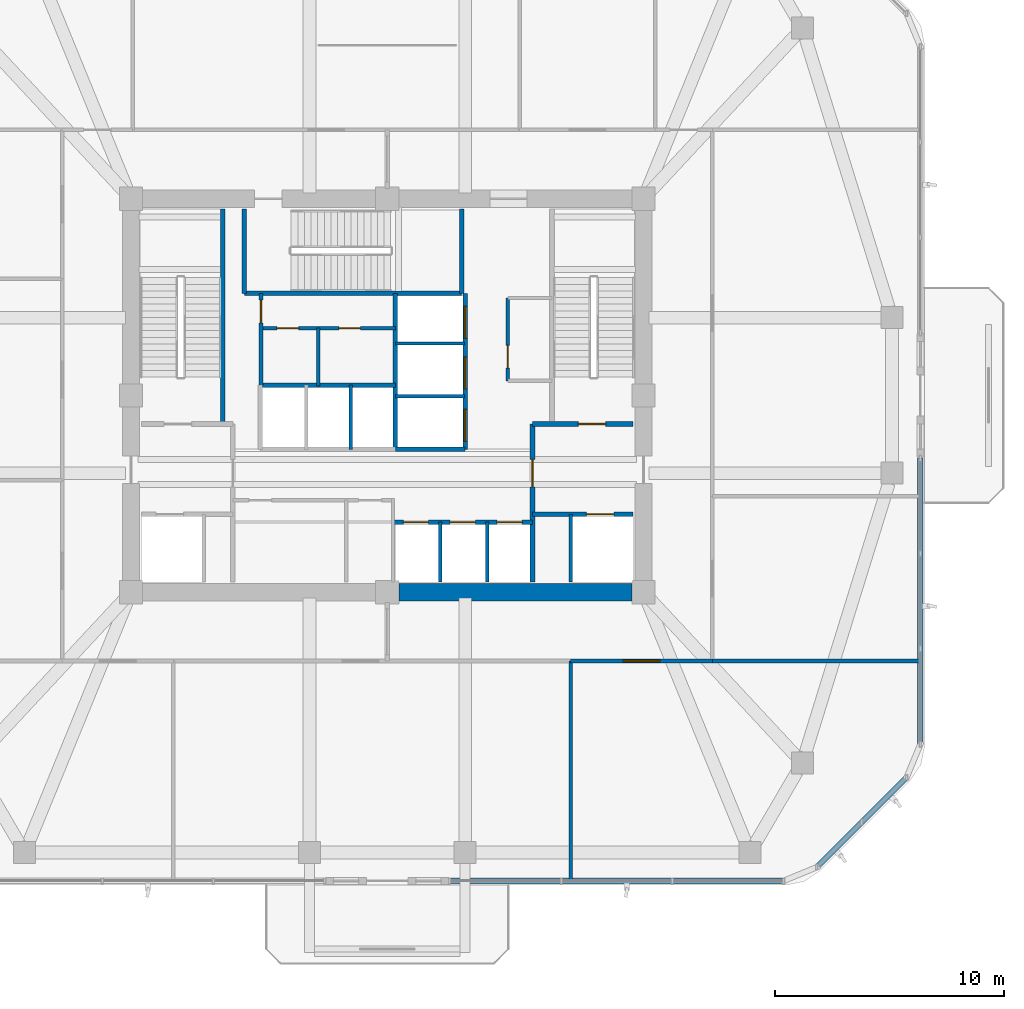
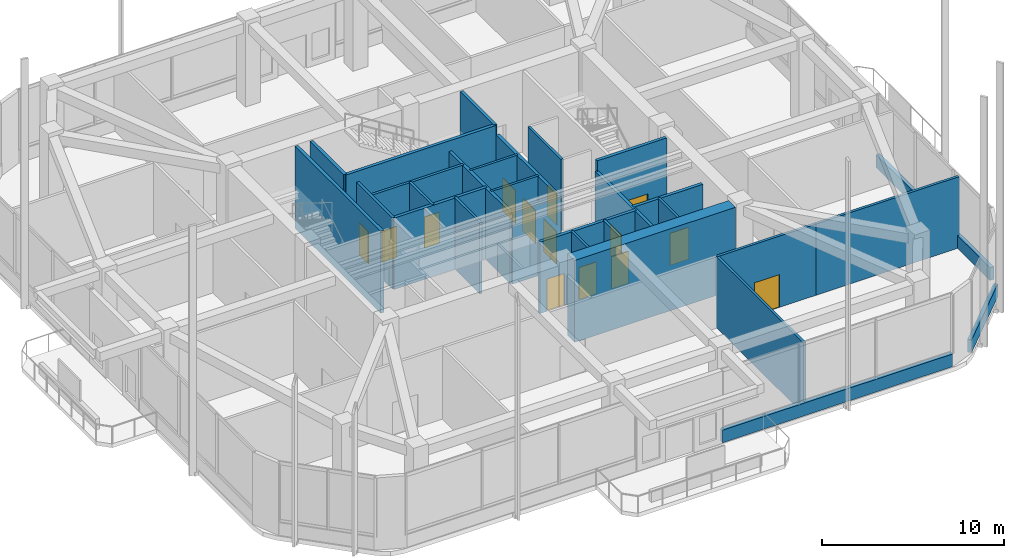
# One storey, part 7 of 12: 29 walls, 14 doors, 14 openings.
"""IFC4 building model written with IfcOpenShell, lengths in metres."""

from ifc_helpers import new_model, si_unit, derived_unit, direction, frame, frame_2d, origin, place, context, subcontext, project, spatial, rectangle, extrude, material, layer, layer_set, type_object, element, fill, save


model = new_model("IFC4")

# Units and contexts
model_context = context("Model", 3, precision=1e-05, world=origin(), true_north=direction((0.0, 1.0)))
body_context = subcontext(model_context, "Body", "Model", "MODEL_VIEW")
ifc_project = project(units=[si_unit("LENGTHUNIT", "METRE"), si_unit("AREAUNIT", "SQUARE_METRE"), si_unit("VOLUMEUNIT", "CUBIC_METRE"), si_unit("PLANEANGLEUNIT", "RADIAN"), si_unit("MASSUNIT", "GRAM", prefix="KILO"), derived_unit("THERMALTRANSMITTANCEUNIT", [(si_unit("POWERUNIT", "WATT"), 1), (si_unit("LENGTHUNIT", "METRE"), -2), (si_unit("THERMODYNAMICTEMPERATUREUNIT", "KELVIN"), -1)])], contexts=[model_context])

# Site, building, storey
site_placement = place(None, origin())
site = spatial("IfcSite", under=ifc_project, at=site_placement, CompositionType="ELEMENT")
building_placement = place(site_placement, origin())
building = spatial("IfcBuilding", under=site, at=building_placement, Name="Koralith Skygarden Medical Center", CompositionType="ELEMENT")
storey_placement = place(building_placement, frame((0.0, 0.0, 129.06005859375)))
storey = spatial("IfcBuildingStorey", under=building, at=storey_placement, Name="L33", CompositionType="ELEMENT", Elevation=129.06005859375)

# Wall, opening, door
ifc_material_1 = material(Name="Gypsum Board Partition")
ifc_layer_1 = layer(ifc_material_1, 0.14990234375)
ifc_layer_set_1 = layer_set([ifc_layer_1], Name="Gypsum Board Partition")
wall_type_1 = type_object("IfcWallType", Name="Clinical Acoustic Partition 150", PredefinedType="PARTITIONING", material=ifc_layer_set_1)
wall_1_placement = place(storey_placement, frame((42.27001953125, 26.5400390625, 0.0), z_axis=(0.0, 0.0, 1.0), x_axis=(0.0, 1.0, 0.0)))
wall_1 = element("IfcWall", 1, at=wall_1_placement, inside=storey, type_object=wall_type_1, Name="L33 Clinical Acoustic Partition 150 W-CORE-L33-ESUB-W", PredefinedType="PARTITIONING", context=body_context, shape_type="SweptSolid", body=[
    extrude(rectangle(XDim=3.619873046875, YDim=0.14990234375, at=frame_2d((1.81005859375, 0.0))), origin(), (0.0, 0.0, 1.0), 4.77001953125),
])
opening_1_placement = place(wall_1_placement, frame((0.550048828125, 0.0, 0.0)))
opening_1 = element("IfcOpeningElement", 2, at=opening_1_placement, cuts=wall_1, Name="Opening D-SUP", PredefinedType="OPENING", context=body_context, shape_type="SweptSolid", body=[
    extrude(rectangle(XDim=1.0, YDim=2.14990234375, at=frame_2d((0.5, 1.074951171875))), frame((0.0, 0.0849609375, 0.0), z_axis=(0.0, -1.0, 0.0), x_axis=(1.0, 0.0, 0.0)), (0.0, 0.0, 1.0), 0.169921875),
])
ifc_material_2 = material(Name="Aluminium 6063-T6", Category="aluminium")
door_type_1 = type_object("IfcDoorType", Name="Clinical Support Door D-SUP 1000", OperationType="NOTDEFINED", PredefinedType="DOOR", material=ifc_material_2)
door_1_placement = place(opening_1_placement, origin())
door_1 = element("IfcDoor", 3, at=door_1_placement, inside=storey, type_object=door_type_1, Name="L33 Core Equipment Store Door", OperationType="SINGLE_SWING_LEFT", OverallHeight=2.14990234375, OverallWidth=1.0, PredefinedType="DOOR", context=body_context, shape_type="SweptSolid", body=[
    extrude(rectangle(XDim=1.0, YDim=2.14990234375, at=frame_2d((0.5, 1.074951171875))), frame((0.0, 0.02490234375, 0.0), z_axis=(0.0, -1.0, 0.0), x_axis=(1.0, 0.0, 0.0)), (0.0, 0.0, 1.0), 0.050048828125),
])
fill(opening_1, door_1)

# Walls
wall_2_placement = place(storey_placement, frame((33.97998046875, 26.320068359375, 0.0), z_axis=(0.0, 0.0, 1.0), x_axis=(0.0, 1.0, 0.0)))
element("IfcWall", 4, at=wall_2_placement, inside=storey, type_object=wall_type_1, Name="L33 Clinical Acoustic Partition 150 W-CORE-L33-FLEX-V3A", PredefinedType="PARTITIONING", context=body_context, shape_type="SweptSolid", body=[
    extrude(rectangle(XDim=2.52001953125, YDim=0.14990234375, at=frame_2d((1.260009765625, 0.0))), origin(), (0.0, 0.0, 1.0), 4.77001953125),
])
wall_3_placement = place(storey_placement, frame((45.014892578125, 14.2900390625, 0.0), z_axis=(0.0, 0.0, 1.0), x_axis=(0.0, -1.0, 0.0)))
element("IfcWall", 5, at=wall_3_placement, inside=storey, type_object=wall_type_1, Name="L33 Clinical Acoustic Partition 150 W-AMPART-L33-S-2", PredefinedType="PARTITIONING", context=body_context, shape_type="SweptSolid", body=[
    extrude(rectangle(XDim=9.590087890625, YDim=0.14990234375, at=frame_2d((4.794921875, 0.0))), origin(), (0.0, 0.0, 1.0), 4.77001953125),
])
ifc_layer_2 = layer(ifc_material_1, 0.1650390625)
ifc_layer_set_2 = layer_set([ifc_layer_2], Name="Gypsum Board Partition")
wall_type_2 = type_object("IfcWallType", Name="Clinical Corridor Partition 165", PredefinedType="PARTITIONING", material=ifc_layer_set_2)
wall_4_placement = place(storey_placement, frame((51.2099609375, 14.2900390625, 0.0), z_axis=(0.0, 0.0, 1.0), x_axis=(1.0, 0.0, 0.0)))
element("IfcWall", 6, at=wall_4_placement, inside=storey, type_object=wall_type_2, Name="L33 Clinical Corridor Partition 165 W-WB-L33-SE", PredefinedType="PARTITIONING", context=body_context, shape_type="SweptSolid", body=[
    extrude(rectangle(XDim=9.073974609375, YDim=0.1650390625, at=frame_2d((4.537109375, 0.0))), origin(), (0.0, 0.0, 1.0), 4.77001953125),
])

# Wall, opening, door
wall_5_placement = place(storey_placement, frame((45.014892578125, 14.2900390625, 0.0), z_axis=(0.0, 0.0, 1.0), x_axis=(1.0, 0.0, 0.0)))
wall_5 = element("IfcWall", 7, at=wall_5_placement, inside=storey, type_object=wall_type_2, Name="L33 Clinical Corridor Partition 165 W-AMCOR-L33-S-3", PredefinedType="PARTITIONING", context=body_context, shape_type="SweptSolid", body=[
    extrude(rectangle(XDim=6.195068359375, YDim=0.1650390625, at=frame_2d((3.09765625, 0.0))), origin(), (0.0, 0.0, 1.0), 4.77001953125),
])
opening_2_placement = place(wall_5_placement, frame((2.298095703125, 0.0, 0.0)))
opening_2 = element("IfcOpeningElement", 8, at=opening_2_placement, cuts=wall_5, Name="Opening D-DBL", PredefinedType="OPENING", context=body_context, shape_type="SweptSolid", body=[
    extrude(rectangle(XDim=1.60009765625, YDim=2.199951171875, at=frame_2d((0.800048828125, 1.10009765625))), frame((0.0, 0.092529296875, 0.0), z_axis=(0.0, -1.0, 0.0), x_axis=(1.0, 0.0, 0.0)), (0.0, 0.0, 1.0), 0.18505859375),
])
door_type_2 = type_object("IfcDoorType", Name="Double Clinical Suite Door D-DBL 1600", OperationType="NOTDEFINED", PredefinedType="DOOR", material=ifc_material_2)
door_2_placement = place(opening_2_placement, frame((1.60009765625, 0.0, 0.0), z_axis=(0.0, 0.0, 1.0), x_axis=(-1.0, 0.0, 0.0)))
door_2 = element("IfcDoor", 9, at=door_2_placement, inside=storey, type_object=door_type_2, Name="L33 Public Accessible Restroom WC Door", OperationType="DOUBLE_DOOR_SINGLE_SWING", OverallHeight=2.199951171875, OverallWidth=1.60009765625, PredefinedType="DOOR", context=body_context, shape_type="SweptSolid", body=[
    extrude(rectangle(XDim=1.60009765625, YDim=2.199951171875, at=frame_2d((0.800048828125, 1.10009765625))), frame((0.0, 0.02490234375, 0.0), z_axis=(0.0, -1.0, 0.0), x_axis=(1.0, 0.0, 0.0)), (0.0, 0.0, 1.0), 0.050048828125),
])
fill(opening_2, door_2)

ifc_layer_3 = layer(ifc_material_1, 0.199951171875)
ifc_layer_set_3 = layer_set([ifc_layer_3], Name="Gypsum Board Partition")
wall_type_3 = type_object("IfcWallType", Name="Fire Shaft Wall 200", PredefinedType="SOLIDWALL", material=ifc_layer_set_3)
wall_6_placement = place(storey_placement, frame((43.35009765625, 20.699951171875, 0.0), z_axis=(0.0, 0.0, 1.0), x_axis=(1.0, 0.0, 0.0)))
wall_6 = element("IfcWall", 10, at=wall_6_placement, inside=storey, type_object=wall_type_3, Name="L33 Fire Shaft Wall 200 W-CORE-L33-FF2-N", PredefinedType="SOLIDWALL", context=body_context, shape_type="SweptSolid", body=[
    extrude(rectangle(XDim=4.39990234375, YDim=0.199951171875, at=frame_2d((2.199951171875, 0.0))), origin(), (0.0, 0.0, 1.0), 4.77001953125),
])
opening_3_placement = place(wall_6_placement, frame((2.35009765625, 0.0, 0.0)))
opening_3 = element("IfcOpeningElement", 11, at=opening_3_placement, cuts=wall_6, Name="Opening LD-FF", PredefinedType="OPENING", context=body_context, shape_type="SweptSolid", body=[
    extrude(rectangle(XDim=1.199951171875, YDim=2.14990234375, at=frame_2d((0.60009765625, 1.074951171875))), frame((0.0, 0.10986328125, 0.0), z_axis=(0.0, -1.0, 0.0), x_axis=(1.0, 0.0, 0.0)), (0.0, 0.0, 1.0), 0.219970703125),
])
ifc_material_3 = material(Name="Steel ASTM A500 Grade C", Category="steel")
door_type_3 = type_object("IfcDoorType", Name="Fire Lift Sliding Landing Door LD-FF 1200", OperationType="NOTDEFINED", PredefinedType="DOOR", material=ifc_material_3)
door_3_placement = place(opening_3_placement, origin())
door_3 = element("IfcDoor", 12, at=door_3_placement, inside=storey, type_object=door_type_3, Name="L33 Fire Service Elevator FF2 Landing Door", OperationType="SLIDING_TO_RIGHT", OverallHeight=2.14990234375, OverallWidth=1.199951171875, PredefinedType="DOOR", context=body_context, shape_type="SweptSolid", body=[
    extrude(rectangle(XDim=1.199951171875, YDim=2.14990234375, at=frame_2d((0.60009765625, 1.074951171875))), frame((0.0, 0.02490234375, 0.0), z_axis=(0.0, -1.0, 0.0), x_axis=(1.0, 0.0, 0.0)), (0.0, 0.0, 1.0), 0.050048828125),
])
fill(opening_3, door_3)

wall_7_placement = place(storey_placement, frame((43.35009765625, 17.75, 0.0), z_axis=(0.0, 0.0, 1.0), x_axis=(0.0, 1.0, 0.0)))
wall_7 = element("IfcWall", 13, at=wall_7_placement, inside=storey, type_object=wall_type_3, Name="L33 Fire Shaft Wall 200 W-CORE-L33-FSAEE-W", PredefinedType="SOLIDWALL", context=body_context, shape_type="SweptSolid", body=[
    extrude(rectangle(XDim=6.89990234375, YDim=0.199951171875, at=frame_2d((3.449951171875, 0.0))), origin(), (0.0, 0.0, 1.0), 4.77001953125),
])
opening_4_placement = place(wall_7_placement, frame((4.14990234375, 0.0, 0.0)))
opening_4 = element("IfcOpeningElement", 14, at=opening_4_placement, cuts=wall_7, Name="Opening D-ST60", PredefinedType="OPENING", context=body_context, shape_type="SweptSolid", body=[
    extrude(rectangle(XDim=1.199951171875, YDim=2.14990234375, at=frame_2d((0.60009765625, 1.074951171875))), frame((0.0, 0.10986328125, 0.0), z_axis=(0.0, -1.0, 0.0), x_axis=(1.0, 0.0, 0.0)), (0.0, 0.0, 1.0), 0.219970703125),
])
door_type_4 = type_object("IfcDoorType", Name="Smokeproof Stair Fire Door FD60S 1200", OperationType="NOTDEFINED", PredefinedType="DOOR", material=ifc_material_3)
door_4_placement = place(opening_4_placement, frame((1.199951171875, 0.0, 0.0), z_axis=(0.0, 0.0, 1.0), x_axis=(-1.0, 0.0, 0.0)))
door_4 = element("IfcDoor", 15, at=door_4_placement, inside=storey, type_object=door_type_4, Name="L33 East Firefighting Lobby Inner Fire Door", OperationType="SINGLE_SWING_RIGHT", OverallHeight=2.14990234375, OverallWidth=1.199951171875, PredefinedType="DOOR", context=body_context, shape_type="SweptSolid", body=[
    extrude(rectangle(XDim=1.199951171875, YDim=2.14990234375, at=frame_2d((0.60009765625, 1.074951171875))), frame((0.0, 0.02490234375, 0.0), z_axis=(0.0, -1.0, 0.0), x_axis=(1.0, 0.0, 0.0)), (0.0, 0.0, 1.0), 0.050048828125),
])
fill(opening_4, door_4)

# Wall, openings, doors
wall_8_placement = place(storey_placement, frame((37.25, 20.360107421875, 0.0), z_axis=(0.0, 0.0, 1.0), x_axis=(1.0, 0.0, 0.0)))
wall_8 = element("IfcWall", 16, at=wall_8_placement, inside=storey, type_object=wall_type_3, Name="L33 Fire Shaft Wall 200 W-CORE-L33-PM-N", PredefinedType="SOLIDWALL", context=body_context, shape_type="SweptSolid", body=[
    extrude(rectangle(XDim=6.10009765625, YDim=0.199951171875, at=frame_2d((3.050048828125, 0.0))), origin(), (0.0, 0.0, 1.0), 4.77001953125),
])
opening_5_placement = place(wall_8_placement, frame((0.449951171875, 0.0, 0.0)))
opening_5 = element("IfcOpeningElement", 17, at=opening_5_placement, cuts=wall_8, Name="Opening LD-P", PredefinedType="OPENING", context=body_context, shape_type="SweptSolid", body=[
    extrude(rectangle(XDim=1.10009765625, YDim=2.14990234375, at=frame_2d((0.550048828125, 1.074951171875))), frame((0.0, 0.10986328125, 0.0), z_axis=(0.0, -1.0, 0.0), x_axis=(1.0, 0.0, 0.0)), (0.0, 0.0, 1.0), 0.219970703125),
])
opening_6_placement = place(wall_8_placement, frame((2.5, 0.0, 0.0)))
opening_6 = element("IfcOpeningElement", 18, at=opening_6_placement, cuts=wall_8, Name="Opening LD-P", PredefinedType="OPENING", context=body_context, shape_type="SweptSolid", body=[
    extrude(rectangle(XDim=1.10009765625, YDim=2.14990234375, at=frame_2d((0.550048828125, 1.074951171875))), frame((0.0, 0.10986328125, 0.0), z_axis=(0.0, -1.0, 0.0), x_axis=(1.0, 0.0, 0.0)), (0.0, 0.0, 1.0), 0.219970703125),
])
opening_7_placement = place(wall_8_placement, frame((4.550048828125, 0.0, 0.0)))
opening_7 = element("IfcOpeningElement", 19, at=opening_7_placement, cuts=wall_8, Name="Opening LD-P", PredefinedType="OPENING", context=body_context, shape_type="SweptSolid", body=[
    extrude(rectangle(XDim=1.10009765625, YDim=2.14990234375, at=frame_2d((0.550048828125, 1.074951171875))), frame((0.0, 0.10986328125, 0.0), z_axis=(0.0, -1.0, 0.0), x_axis=(1.0, 0.0, 0.0)), (0.0, 0.0, 1.0), 0.219970703125),
])
door_type_5 = type_object("IfcDoorType", Name="Passenger Lift Sliding Landing Door LD-P 1100", OperationType="NOTDEFINED", PredefinedType="DOOR", material=ifc_material_3)
door_5_placement = place(opening_5_placement, origin())
door_5 = element("IfcDoor", 20, at=door_5_placement, inside=storey, type_object=door_type_5, Name="L33 Passenger Elevator PM1 Landing Door", OperationType="SLIDING_TO_LEFT", OverallHeight=2.14990234375, OverallWidth=1.10009765625, PredefinedType="DOOR", context=body_context, shape_type="SweptSolid", body=[
    extrude(rectangle(XDim=1.10009765625, YDim=2.14990234375, at=frame_2d((0.550048828125, 1.074951171875))), frame((0.0, 0.02490234375, 0.0), z_axis=(0.0, -1.0, 0.0), x_axis=(1.0, 0.0, 0.0)), (0.0, 0.0, 1.0), 0.050048828125),
])
fill(opening_5, door_5)
door_6_placement = place(opening_6_placement, origin())
door_6 = element("IfcDoor", 21, at=door_6_placement, inside=storey, type_object=door_type_5, Name="L33 Passenger Elevator PM2 Landing Door", OperationType="SLIDING_TO_LEFT", OverallHeight=2.14990234375, OverallWidth=1.10009765625, PredefinedType="DOOR", context=body_context, shape_type="SweptSolid", body=[
    extrude(rectangle(XDim=1.10009765625, YDim=2.14990234375, at=frame_2d((0.550048828125, 1.074951171875))), frame((0.0, 0.02490234375, 0.0), z_axis=(0.0, -1.0, 0.0), x_axis=(1.0, 0.0, 0.0)), (0.0, 0.0, 1.0), 0.050048828125),
])
fill(opening_6, door_6)
door_7_placement = place(opening_7_placement, origin())
door_7 = element("IfcDoor", 22, at=door_7_placement, inside=storey, type_object=door_type_5, Name="L33 Passenger Elevator PM3 Landing Door", OperationType="SLIDING_TO_LEFT", OverallHeight=2.14990234375, OverallWidth=1.10009765625, PredefinedType="DOOR", context=body_context, shape_type="SweptSolid", body=[
    extrude(rectangle(XDim=1.10009765625, YDim=2.14990234375, at=frame_2d((0.550048828125, 1.074951171875))), frame((0.0, 0.02490234375, 0.0), z_axis=(0.0, -1.0, 0.0), x_axis=(1.0, 0.0, 0.0)), (0.0, 0.0, 1.0), 0.050048828125),
])
fill(opening_7, door_7)

# Walls
wall_9_placement = place(storey_placement, frame((31.449951171875, 26.35009765625, 0.0), z_axis=(0.0, 0.0, 1.0), x_axis=(1.0, 0.0, 0.0)))
element("IfcWall", 23, at=wall_9_placement, inside=storey, type_object=wall_type_3, Name="L33 Fire Shaft Wall 200 W-CORE-L33-PH-N", PredefinedType="SOLIDWALL", context=body_context, shape_type="SweptSolid", body=[
    extrude(rectangle(XDim=5.900146484375, YDim=0.199951171875, at=frame_2d((2.9501953125, 0.0))), origin(), (0.0, 0.0, 1.0), 4.77001953125),
])
wall_10_placement = place(storey_placement, frame((37.35009765625, 23.5400390625, 0.0), z_axis=(0.0, 0.0, 1.0), x_axis=(0.0, 1.0, 0.0)))
element("IfcWall", 24, at=wall_10_placement, inside=storey, type_object=wall_type_3, Name="L33 Fire Shaft Wall 200 W-CORE-L33-SV-W", PredefinedType="SOLIDWALL", context=body_context, shape_type="SweptSolid", body=[
    extrude(rectangle(XDim=6.820068359375, YDim=0.199951171875, at=frame_2d((3.41015625, 0.0))), origin(), (0.0, 0.0, 1.0), 4.77001953125),
])
wall_11_placement = place(storey_placement, frame((37.35009765625, 23.5400390625, 0.0), z_axis=(0.0, 0.0, 1.0), x_axis=(1.0, 0.0, 0.0)))
element("IfcWall", 25, at=wall_11_placement, inside=storey, type_object=wall_type_3, Name="L33 Fire Shaft Wall 200 W-CORE-L33-SV-S", PredefinedType="SOLIDWALL", context=body_context, shape_type="SweptSolid", body=[
    extrude(rectangle(XDim=3.0498046875, YDim=0.199951171875, at=frame_2d((1.52490234375, 0.0))), origin(), (0.0, 0.0, 1.0), 4.77001953125),
])

# Wall, openings, doors
wall_12_placement = place(storey_placement, frame((40.39990234375, 23.5400390625, 0.0), z_axis=(0.0, 0.0, 1.0), x_axis=(0.0, 1.0, 0.0)))
wall_12 = element("IfcWall", 26, at=wall_12_placement, inside=storey, type_object=wall_type_3, Name="L33 Fire Shaft Wall 200 W-CORE-L33-SV-E", PredefinedType="SOLIDWALL", context=body_context, shape_type="SweptSolid", body=[
    extrude(rectangle(XDim=6.820068359375, YDim=0.199951171875, at=frame_2d((3.41015625, 0.0))), origin(), (0.0, 0.0, 1.0), 4.77001953125),
])
opening_8_placement = place(wall_12_placement, frame((0.35009765625, 0.0, 0.0)))
opening_8 = element("IfcOpeningElement", 27, at=opening_8_placement, cuts=wall_12, Name="Opening LD-SV", PredefinedType="OPENING", context=body_context, shape_type="SweptSolid", body=[
    extrude(rectangle(XDim=1.39990234375, YDim=2.199951171875, at=frame_2d((0.699951171875, 1.10009765625))), frame((0.0, 0.10986328125, 0.0), z_axis=(0.0, -1.0, 0.0), x_axis=(1.0, 0.0, 0.0)), (0.0, 0.0, 1.0), 0.219970703125),
])
opening_9_placement = place(wall_12_placement, frame((2.64990234375, 0.0, 0.0)))
opening_9 = element("IfcOpeningElement", 28, at=opening_9_placement, cuts=wall_12, Name="Opening LD-SV", PredefinedType="OPENING", context=body_context, shape_type="SweptSolid", body=[
    extrude(rectangle(XDim=1.39990234375, YDim=2.199951171875, at=frame_2d((0.699951171875, 1.10009765625))), frame((0.0, 0.10986328125, 0.0), z_axis=(0.0, -1.0, 0.0), x_axis=(1.0, 0.0, 0.0)), (0.0, 0.0, 1.0), 0.219970703125),
])
opening_10_placement = place(wall_12_placement, frame((4.85009765625, 0.0, 0.0)))
opening_10 = element("IfcOpeningElement", 29, at=opening_10_placement, cuts=wall_12, Name="Opening LD-SV", PredefinedType="OPENING", context=body_context, shape_type="SweptSolid", body=[
    extrude(rectangle(XDim=1.39990234375, YDim=2.199951171875, at=frame_2d((0.699951171875, 1.10009765625))), frame((0.0, 0.10986328125, 0.0), z_axis=(0.0, -1.0, 0.0), x_axis=(1.0, 0.0, 0.0)), (0.0, 0.0, 1.0), 0.219970703125),
])
door_type_6 = type_object("IfcDoorType", Name="Bed Lift Sliding Landing Door LD-SV 1400", OperationType="NOTDEFINED", PredefinedType="DOOR", material=ifc_material_3)
door_8_placement = place(opening_8_placement, origin())
door_8 = element("IfcDoor", 30, at=door_8_placement, inside=storey, type_object=door_type_6, Name="L33 Bed Elevator BD1 Landing Door", OperationType="SLIDING_TO_LEFT", OverallHeight=2.199951171875, OverallWidth=1.39990234375, PredefinedType="DOOR", context=body_context, shape_type="SweptSolid", body=[
    extrude(rectangle(XDim=1.39990234375, YDim=2.199951171875, at=frame_2d((0.699951171875, 1.10009765625))), frame((0.0, 0.02490234375, 0.0), z_axis=(0.0, -1.0, 0.0), x_axis=(1.0, 0.0, 0.0)), (0.0, 0.0, 1.0), 0.050048828125),
])
fill(opening_8, door_8)
door_9_placement = place(opening_9_placement, origin())
door_9 = element("IfcDoor", 31, at=door_9_placement, inside=storey, type_object=door_type_6, Name="L33 Service Elevator BD2 Landing Door", OperationType="SLIDING_TO_LEFT", OverallHeight=2.199951171875, OverallWidth=1.39990234375, PredefinedType="DOOR", context=body_context, shape_type="SweptSolid", body=[
    extrude(rectangle(XDim=1.39990234375, YDim=2.199951171875, at=frame_2d((0.699951171875, 1.10009765625))), frame((0.0, 0.02490234375, 0.0), z_axis=(0.0, -1.0, 0.0), x_axis=(1.0, 0.0, 0.0)), (0.0, 0.0, 1.0), 0.050048828125),
])
fill(opening_9, door_9)
door_10_placement = place(opening_10_placement, origin())
door_10 = element("IfcDoor", 32, at=door_10_placement, inside=storey, type_object=door_type_6, Name="L33 Trauma Elevator TR1 Landing Door", OperationType="SLIDING_TO_RIGHT", OverallHeight=2.199951171875, OverallWidth=1.39990234375, PredefinedType="DOOR", context=body_context, shape_type="SweptSolid", body=[
    extrude(rectangle(XDim=1.39990234375, YDim=2.199951171875, at=frame_2d((0.699951171875, 1.10009765625))), frame((0.0, 0.02490234375, 0.0), z_axis=(0.0, -1.0, 0.0), x_axis=(1.0, 0.0, 0.0)), (0.0, 0.0, 1.0), 0.050048828125),
])
fill(opening_10, door_10)

# Walls
ifc_material_4 = material(Name="Warm Oolitic Limestone Cladding", Category="masonry")
ifc_layer_4 = layer(ifc_material_4, 0.239990234375)
ifc_layer_set_4 = layer_set([ifc_layer_4], Name="Warm Oolitic Limestone Cladding")
wall_type_4 = type_object("IfcWallType", Name="Limestone Spandrel Sill Backup Wall 240", PredefinedType="SOLIDWALL", material=ifc_layer_set_4)
wall_13_placement = place(storey_placement, frame((39.739013671875, 4.679931640625, 0.0), z_axis=(0.0, 0.0, 1.0), x_axis=(1.0, 0.0, 0.0)))
element("IfcWall", 33, at=wall_13_placement, inside=storey, type_object=wall_type_4, Name="L33 Sill Spandrel S-R", PredefinedType="SOLIDWALL", context=body_context, shape_type="SweptSolid", body=[
    extrude(rectangle(XDim=14.590087890625, YDim=0.239990234375, at=frame_2d((7.294921875, 0.0))), origin(), (0.0, 0.0, 1.0), 0.849853515625),
])
wall_14_placement = place(storey_placement, frame((55.780029296875, 5.281005859375, 0.0), z_axis=(0.0, 0.0, 1.0), x_axis=(0.707084777957, 0.707128783731, 0.0)))
element("IfcWall", 34, at=wall_14_placement, inside=storey, type_object=wall_type_4, Name="L33 Sill Spandrel SE", PredefinedType="SOLIDWALL", context=body_context, shape_type="SweptSolid", body=[
    extrude(rectangle(XDim=5.5478515625, YDim=0.239990234375, at=frame_2d((2.77392578125, 0.0))), origin(), (0.0, 0.0, 1.0), 0.849853515625),
])
wall_15_placement = place(storey_placement, frame((60.303955078125, 10.655029296875, 0.0), z_axis=(0.0, 0.0, 1.0), x_axis=(0.0, 1.0, 0.0)))
element("IfcWall", 35, at=wall_15_placement, inside=storey, type_object=wall_type_4, Name="L33 Sill Spandrel E-L", PredefinedType="SOLIDWALL", context=body_context, shape_type="SweptSolid", body=[
    extrude(rectangle(XDim=12.50390625, YDim=0.239990234375, at=frame_2d((6.251953125, 0.0))), origin(), (0.0, 0.0, 1.0), 0.849853515625),
])
ifc_material_5 = material(Name="Concrete C70/85", Category="concrete")
ifc_layer_5 = layer(ifc_material_5, 0.75)
ifc_layer_set_5 = layer_set([ifc_layer_5], Name="Concrete C70/85")
wall_type_5 = type_object("IfcWallType", Name="Mid Core Shear Wall 750", PredefinedType="SHEAR", material=ifc_layer_set_5)
wall_16_placement = place(storey_placement, frame((37.5048828125, 17.300048828125, 0.0), z_axis=(0.0, 0.0, 1.0), x_axis=(1.0, 0.0, 0.0)))
element("IfcWall", 36, at=wall_16_placement, inside=storey, type_object=wall_type_5, Name="L33 Core Shear Wall Segment 2", PredefinedType="SHEAR", context=body_context, shape_type="SweptSolid", body=[
    extrude(rectangle(XDim=10.190185546875, YDim=0.75, at=frame_2d((5.09521484375, 0.0))), origin(), (0.0, 0.0, 1.0), 5.47998046875),
])

# Wall, opening, door
ifc_layer_6 = layer(ifc_material_1, 0.1650390625)
ifc_layer_set_6 = layer_set([ifc_layer_6], Name="Gypsum Board Partition")
wall_type_6 = type_object("IfcWallType", Name="Plumbing Wet Wall 165", PredefinedType="PLUMBINGWALL", material=ifc_layer_set_6)
wall_17_placement = place(storey_placement, frame((31.47998046875, 26.320068359375, 0.0), z_axis=(0.0, 0.0, 1.0), x_axis=(0.0, 1.0, 0.0)))
wall_17 = element("IfcWall", 37, at=wall_17_placement, inside=storey, type_object=wall_type_6, Name="L33 Plumbing Wet Wall 165 W-CORE-L33-FLEX-W", PredefinedType="PLUMBINGWALL", context=body_context, shape_type="SweptSolid", body=[
    extrude(rectangle(XDim=4.0400390625, YDim=0.1650390625, at=frame_2d((2.02001953125, 0.0))), origin(), (0.0, 0.0, 1.0), 4.77001953125),
])
opening_11_placement = place(wall_17_placement, frame((2.75, 0.0, 0.0)))
opening_11 = element("IfcOpeningElement", 38, at=opening_11_placement, cuts=wall_17, Name="Opening D-SUP", PredefinedType="OPENING", context=body_context, shape_type="SweptSolid", body=[
    extrude(rectangle(XDim=1.0, YDim=2.14990234375, at=frame_2d((0.5, 1.074951171875))), frame((0.0, 0.092529296875, 0.0), z_axis=(0.0, -1.0, 0.0), x_axis=(1.0, 0.0, 0.0)), (0.0, 0.0, 1.0), 0.18505859375),
])
door_11_placement = place(opening_11_placement, frame((1.0, 0.0, 0.0), z_axis=(0.0, 0.0, 1.0), x_axis=(-1.0, 0.0, 0.0)))
door_11 = element("IfcDoor", 39, at=door_11_placement, inside=storey, type_object=door_type_1, Name="L33 Core Utility Alcove Door", OperationType="SINGLE_SWING_RIGHT", OverallHeight=2.14990234375, OverallWidth=1.0, PredefinedType="DOOR", context=body_context, shape_type="SweptSolid", body=[
    extrude(rectangle(XDim=1.0, YDim=2.14990234375, at=frame_2d((0.5, 1.074951171875))), frame((0.0, 0.02490234375, 0.0), z_axis=(0.0, -1.0, 0.0), x_axis=(1.0, 0.0, 0.0)), (0.0, 0.0, 1.0), 0.050048828125),
])
fill(opening_11, door_11)

# Wall, openings, doors
wall_18_placement = place(storey_placement, frame((31.47998046875, 28.840087890625, 0.0), z_axis=(0.0, 0.0, 1.0), x_axis=(1.0, 0.0, 0.0)))
wall_18 = element("IfcWall", 40, at=wall_18_placement, inside=storey, type_object=wall_type_6, Name="L33 Plumbing Wet Wall 165 W-CORE-L33-FLEX-H3", PredefinedType="PLUMBINGWALL", context=body_context, shape_type="SweptSolid", body=[
    extrude(rectangle(XDim=5.8701171875, YDim=0.1650390625, at=frame_2d((2.93505859375, 0.0))), origin(), (0.0, 0.0, 1.0), 4.77001953125),
])
opening_12_placement = place(wall_18_placement, frame((0.699951171875, 0.0, 0.0)))
opening_12 = element("IfcOpeningElement", 41, at=opening_12_placement, cuts=wall_18, Name="Opening D-WC", PredefinedType="OPENING", context=body_context, shape_type="SweptSolid", body=[
    extrude(rectangle(XDim=0.949951171875, YDim=2.10009765625, at=frame_2d((0.47509765625, 1.050048828125))), frame((0.0, 0.092529296875, 0.0), z_axis=(0.0, -1.0, 0.0), x_axis=(1.0, 0.0, 0.0)), (0.0, 0.0, 1.0), 0.18505859375),
])
opening_13_placement = place(wall_18_placement, frame((3.39990234375, 0.0, 0.0)))
opening_13 = element("IfcOpeningElement", 42, at=opening_13_placement, cuts=wall_18, Name="Opening D-WC", PredefinedType="OPENING", context=body_context, shape_type="SweptSolid", body=[
    extrude(rectangle(XDim=0.949951171875, YDim=2.10009765625, at=frame_2d((0.47509765625, 1.050048828125))), frame((0.0, 0.092529296875, 0.0), z_axis=(0.0, -1.0, 0.0), x_axis=(1.0, 0.0, 0.0)), (0.0, 0.0, 1.0), 0.18505859375),
])
door_type_7 = type_object("IfcDoorType", Name="Accessible Toilet Door D-WC 950", OperationType="NOTDEFINED", PredefinedType="DOOR", material=ifc_material_2)
door_12_placement = place(opening_12_placement, frame((0.949951171875, 0.0, 0.0), z_axis=(0.0, 0.0, 1.0), x_axis=(-1.0, 0.0, 0.0)))
door_12 = element("IfcDoor", 43, at=door_12_placement, inside=storey, type_object=door_type_7, Name="L33 Core Accessible WC Door", OperationType="SINGLE_SWING_LEFT", OverallHeight=2.10009765625, OverallWidth=0.949951171875, PredefinedType="DOOR", context=body_context, shape_type="SweptSolid", body=[
    extrude(rectangle(XDim=0.949951171875, YDim=2.10009765625, at=frame_2d((0.47509765625, 1.050048828125))), frame((0.0, 0.02490234375, 0.0), z_axis=(0.0, -1.0, 0.0), x_axis=(1.0, 0.0, 0.0)), (0.0, 0.0, 1.0), 0.050048828125),
])
fill(opening_12, door_12)
door_13_placement = place(opening_13_placement, frame((0.949951171875, 0.0, 0.0), z_axis=(0.0, 0.0, 1.0), x_axis=(-1.0, 0.0, 0.0)))
door_13 = element("IfcDoor", 44, at=door_13_placement, inside=storey, type_object=door_type_7, Name="L33 Housekeeping Store Door", OperationType="SINGLE_SWING_RIGHT", OverallHeight=2.10009765625, OverallWidth=0.949951171875, PredefinedType="DOOR", context=body_context, shape_type="SweptSolid", body=[
    extrude(rectangle(XDim=0.949951171875, YDim=2.10009765625, at=frame_2d((0.47509765625, 1.050048828125))), frame((0.0, 0.02490234375, 0.0), z_axis=(0.0, -1.0, 0.0), x_axis=(1.0, 0.0, 0.0)), (0.0, 0.0, 1.0), 0.050048828125),
])
fill(opening_13, door_13)

# Walls
ifc_layer_7 = layer(ifc_material_1, 0.14990234375)
ifc_layer_set_7 = layer_set([ifc_layer_7], Name="Gypsum Board Partition")
wall_type_7 = type_object("IfcWallType", Name="Shaft Partition Wall 150", PredefinedType="PARTITIONING", material=ifc_layer_set_7)
wall_19_placement = place(storey_placement, frame((45.02001953125, 17.75, 0.0), z_axis=(0.0, 0.0, 1.0), x_axis=(0.0, 1.0, 0.0)))
element("IfcWall", 45, at=wall_19_placement, inside=storey, type_object=wall_type_7, Name="L33 Shaft Partition Wall 150 W-CORE-L33-RSRE-DIV", PredefinedType="PARTITIONING", context=body_context, shape_type="SweptSolid", body=[
    extrude(rectangle(XDim=2.949951171875, YDim=0.14990234375, at=frame_2d((1.47509765625, 0.0))), origin(), (0.0, 0.0, 1.0), 4.77001953125),
])
for number, where, z_axis, x_axis, name in (
    (46, (39.320068359375, 17.75, 0.0), (0.0, 0.0, 1.0), (0.0, 1.0, 0.0), "L33 Shaft Partition Wall 150 W-CORE-L33-PM-D1"),
    (47, (41.3701171875, 17.75, 0.0), (0.0, 0.0, 1.0), (0.0, 1.0, 0.0), "L33 Shaft Partition Wall 150 W-CORE-L33-PM-D2"),
):
    element("IfcWall", number, at=place(storey_placement, frame(where, z_axis=z_axis, x_axis=x_axis)), inside=storey, type_object=wall_type_7, Name=name, PredefinedType="PARTITIONING", context=body_context, shape_type="SweptSolid", body=[
        extrude(rectangle(XDim=2.610107421875, YDim=0.14990234375, at=frame_2d((1.30517578125, 0.0))), origin(), (0.0, 0.0, 1.0), 4.77001953125),
    ])
wall_20_placement = place(storey_placement, frame((35.39990234375, 23.5400390625, 0.0), z_axis=(0.0, 0.0, 1.0), x_axis=(0.0, 1.0, 0.0)))
element("IfcWall", 48, at=wall_20_placement, inside=storey, type_object=wall_type_7, Name="L33 Shaft Partition Wall 150 W-CORE-L33-PH-D2", PredefinedType="PARTITIONING", context=body_context, shape_type="SweptSolid", body=[
    extrude(rectangle(XDim=2.81005859375, YDim=0.14990234375, at=frame_2d((1.405029296875, 0.0))), origin(), (0.0, 0.0, 1.0), 4.77001953125),
])
for number, where, z_axis, x_axis, name in (
    (49, (37.3701171875, 25.8701171875, 0.0), (0.0, 0.0, 1.0), (1.0, 0.0, 0.0), "L33 Shaft Partition Wall 150 W-CORE-L33-SV-D1"),
    (50, (37.3701171875, 28.169921875, 0.0), (0.0, 0.0, 1.0), (1.0, 0.0, 0.0), "L33 Shaft Partition Wall 150 W-CORE-L33-SV-D2"),
):
    element("IfcWall", number, at=place(storey_placement, frame(where, z_axis=z_axis, x_axis=x_axis)), inside=storey, type_object=wall_type_7, Name=name, PredefinedType="PARTITIONING", context=body_context, shape_type="SweptSolid", body=[
        extrude(rectangle(XDim=3.009765625, YDim=0.14990234375, at=frame_2d((1.5048828125, 0.0))), origin(), (0.0, 0.0, 1.0), 4.77001953125),
    ])
ifc_material_6 = material(Name="Concrete C45/55", Category="concrete")
ifc_layer_8 = layer(ifc_material_6, 0.199951171875)
ifc_layer_set_8 = layer_set([ifc_layer_8], Name="Concrete C45/55")
wall_type_8 = type_object("IfcWallType", Name="Structural Stair Shaft Wall 200", PredefinedType="SHEAR", material=ifc_layer_set_8)
wall_21_placement = place(storey_placement, frame((29.800048828125, 24.64990234375, 0.0), z_axis=(0.0, 0.0, 1.0), x_axis=(0.0, 1.0, 0.0)))
element("IfcWall", 51, at=wall_21_placement, inside=storey, type_object=wall_type_8, Name="L33 Structural Stair Shaft Wall 200 W-CORE-L33-ST1-E", PredefinedType="SHEAR", context=body_context, shape_type="SweptSolid", body=[
    extrude(rectangle(XDim=9.400146484375, YDim=0.199951171875, at=frame_2d((4.7001953125, 0.0))), origin(), (0.0, 0.0, 1.0), 5.47998046875),
])

# Wall, opening, door
wall_22_placement = place(storey_placement, frame((43.35009765625, 24.64990234375, 0.0), z_axis=(0.0, 0.0, 1.0), x_axis=(1.0, 0.0, 0.0)))
wall_22 = element("IfcWall", 52, at=wall_22_placement, inside=storey, type_object=wall_type_8, Name="L33 Structural Stair Shaft Wall 200 W-CORE-L33-ST2-S", PredefinedType="SHEAR", context=body_context, shape_type="SweptSolid", body=[
    extrude(rectangle(XDim=4.39990234375, YDim=0.199951171875, at=frame_2d((2.199951171875, 0.0))), origin(), (0.0, 0.0, 1.0), 5.47998046875),
])
opening_14_placement = place(wall_22_placement, frame((2.0, 0.0, 0.0)))
opening_14 = element("IfcOpeningElement", 53, at=opening_14_placement, cuts=wall_22, Name="Opening D-ST60", PredefinedType="OPENING", context=body_context, shape_type="SweptSolid", body=[
    extrude(rectangle(XDim=1.199951171875, YDim=2.14990234375, at=frame_2d((0.60009765625, 1.074951171875))), frame((0.0, 0.10986328125, 0.0), z_axis=(0.0, -1.0, 0.0), x_axis=(1.0, 0.0, 0.0)), (0.0, 0.0, 1.0), 0.219970703125),
])
door_14_placement = place(opening_14_placement, origin())
door_14 = element("IfcDoor", 54, at=door_14_placement, inside=storey, type_object=door_type_4, Name="L33 Exit Stair ST2 Fire Door", OperationType="SINGLE_SWING_RIGHT", OverallHeight=2.14990234375, OverallWidth=1.199951171875, PredefinedType="DOOR", context=body_context, shape_type="SweptSolid", body=[
    extrude(rectangle(XDim=1.199951171875, YDim=2.14990234375, at=frame_2d((0.60009765625, 1.074951171875))), frame((0.0, 0.02490234375, 0.0), z_axis=(0.0, -1.0, 0.0), x_axis=(1.0, 0.0, 0.0)), (0.0, 0.0, 1.0), 0.050048828125),
])
fill(opening_14, door_14)

# Walls
wall_23_placement = place(storey_placement, frame((30.75, 30.360107421875, 0.0), z_axis=(0.0, 0.0, 1.0), x_axis=(1.0, 0.0, 0.0)))
element("IfcWall", 55, at=wall_23_placement, inside=storey, type_object=wall_type_8, Name="L33 Structural Stair Shaft Wall 200 W-CORE-L33-ST3-S", PredefinedType="SHEAR", context=body_context, shape_type="SweptSolid", body=[
    extrude(rectangle(XDim=9.5, YDim=0.199951171875, at=frame_2d((4.75, 0.0))), origin(), (0.0, 0.0, 1.0), 5.47998046875),
])
for number, where, z_axis, x_axis, name in (
    (56, (30.75, 30.360107421875, 0.0), (0.0, 0.0, 1.0), (0.0, 1.0, 0.0), "L33 Structural Stair Shaft Wall 200 W-CORE-L33-ST3-W"),
    (57, (40.25, 30.360107421875, 0.0), (0.0, 0.0, 1.0), (0.0, 1.0, 0.0), "L33 Structural Stair Shaft Wall 200 W-CORE-L33-ST3-E"),
):
    element("IfcWall", number, at=place(storey_placement, frame(where, z_axis=z_axis, x_axis=x_axis)), inside=storey, type_object=wall_type_8, Name=name, PredefinedType="SHEAR", context=body_context, shape_type="SweptSolid", body=[
        extrude(rectangle(XDim=3.68994140625, YDim=0.199951171875, at=frame_2d((1.844970703125, 0.0))), origin(), (0.0, 0.0, 1.0), 5.47998046875),
    ])

save(model, "model.ifc")
